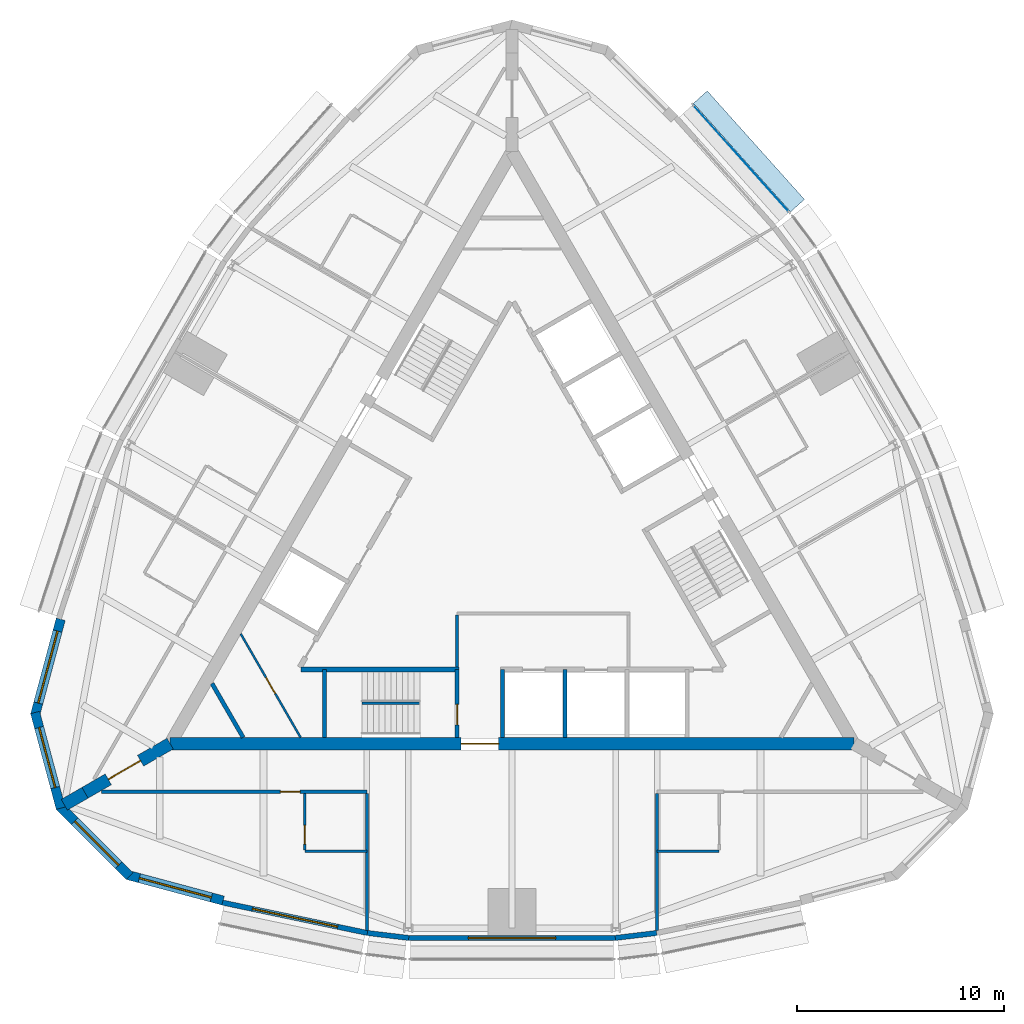
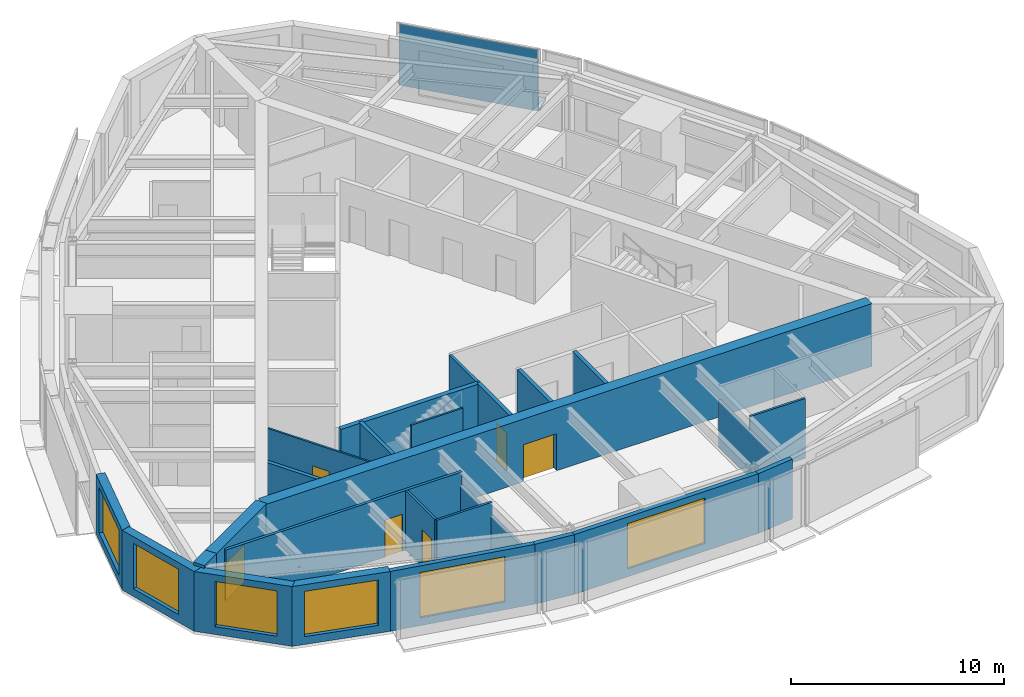
# One storey, part 7 of 12: 26 walls, 6 doors, 6 windows, 2 plates, 12 openings, 1 element without a shape of its own.
"""IFC4 building model written with IfcOpenShell, lengths in metres."""

from ifc_helpers import new_model, si_unit, direction, frame, frame_2d, origin, origin_2d, place, context, subcontext, project, spatial, polyline, rectangle, outline, extrude, material, layer, layer_set, type_object, element, fill, aggregate, save


model = new_model("IFC4")

# Units and contexts
model_context = context("Model", 3, precision=1e-05, world=origin(), true_north=direction((0.0, 1.0)))
body_context = subcontext(model_context, "Body", "Model", "MODEL_VIEW")
ifc_project = project(units=[si_unit("LENGTHUNIT", "METRE"), si_unit("AREAUNIT", "SQUARE_METRE"), si_unit("VOLUMEUNIT", "CUBIC_METRE"), si_unit("PLANEANGLEUNIT", "RADIAN"), si_unit("MASSUNIT", "GRAM", prefix="KILO")], contexts=[model_context])

# Site, building, storey
site_placement = place(None, origin())
site = spatial("IfcSite", under=ifc_project, at=site_placement, CompositionType="ELEMENT")
building_placement = place(site_placement, origin())
building = spatial("IfcBuilding", under=site, at=building_placement, Name="Trikona Tower", CompositionType="ELEMENT")
storey_placement = place(building_placement, frame((0.0, 0.0, 253.699951171875)))
storey = spatial("IfcBuildingStorey", under=building, at=storey_placement, Name="L67", CompositionType="ELEMENT", Elevation=253.699951171875)

# Curtain wall, plate
ifc_material_1 = material(Name="Aluminium curtain wall system", Category="aluminium")
curtain_wall_type = type_object("IfcCurtainWallType", Name="Curtain wall DS3", PredefinedType="NOTDEFINED", material=ifc_material_1)
curtain_wall_placement = place(storey_placement, origin())
curtain_wall = element("IfcCurtainWall", 1, at=curtain_wall_placement, inside=storey, type_object=curtain_wall_type, Name="Curtain wall DS3 L67", PredefinedType="NOTDEFINED")
ifc_material_2 = material(Name="Laminated clear glass", Category="glass")
ifc_layer_1 = layer(ifc_material_2, 0.028076171875)
ifc_layer_set_1 = layer_set([ifc_layer_1], Name="Glass panel DS3")
plate_type_1 = type_object("IfcPlateType", Name="Glass panel DS3", PredefinedType="CURTAIN_PANEL", material=ifc_layer_set_1)
plate_1_placement = place(storey_placement, frame((11.056884765625, 18.7216796875, 0.0), z_axis=(0.0, 0.0, 1.0), x_axis=(-0.667319643748, 0.744771436797, 0.0)))
plate_1 = element("IfcPlate", 2, at=plate_1_placement, type_object=plate_type_1, Name="CW-DS3 panel 1.1", PredefinedType="CURTAIN_PANEL", context=body_context, shape_type="SweptSolid", body=[
    extrude(rectangle(XDim=6.892822265625, YDim=0.028076171875, at=origin_2d()), origin(), (0.0, 0.0, 1.0), 3.530029296875),
])
aggregate(curtain_wall, [plate_1])

# Plate
ifc_material_3 = material(Name="Aluminium plate fin, pale anodised, on stainless steel outriggers", Category="steel")
ifc_layer_2 = layer(ifc_material_3, 0.14990234375)
ifc_layer_set_2 = layer_set([ifc_layer_2], Name="Outer skin fin 900")
plate_type_2 = type_object("IfcPlateType", Name="Outer skin fin 900", PredefinedType="USERDEFINED", material=ifc_layer_set_2)
plate_2_placement = place(storey_placement, frame((11.436767578125, 19.06201171875, 0.0), z_axis=(0.0, 0.0, 1.0), x_axis=(-0.667311465398, 0.744778764566, 0.0)))
element("IfcPlate", 3, at=plate_2_placement, inside=storey, type_object=plate_type_2, Name="Outer skin fin L67-13", ObjectType="FIN", PredefinedType="USERDEFINED", context=body_context, shape_type="SweptSolid", body=[
    extrude(rectangle(XDim=7.03271484375, YDim=0.89990234375, at=origin_2d()), origin(), (0.0, 0.0, 1.0), 0.14990234375),
])

# Wall
ifc_material_4 = material(Name="Metal stud and cement board", Category="gypsum")
ifc_layer_3 = layer(ifc_material_4, 0.1201171875)
ifc_layer_set_3 = layer_set([ifc_layer_3], Name="Bathroom wall 120")
wall_type_1 = type_object("IfcWallType", Name="Bathroom wall 120", PredefinedType="PLUMBINGWALL", material=ifc_layer_set_3)
wall_1_placement = place(storey_placement, frame((-10.0, -14.726318359375, 0.0), z_axis=(0.0, 0.0, 1.0), x_axis=(1.0, 0.0, 0.0)))
element("IfcWall", 4, at=wall_1_placement, inside=storey, type_object=wall_type_1, Name="Bathroom wall 6701", PredefinedType="PLUMBINGWALL", context=body_context, shape_type="SweptSolid", body=[
    extrude(rectangle(XDim=3.0, YDim=0.1201171875, at=frame_2d((1.5, 0.0))), origin(), (0.0, 0.0, 1.0), 3.43505859375),
])

# Wall, opening, door
wall_2_placement = place(storey_placement, frame((-10.0, -11.92626953125, 0.0), z_axis=(0.0, 0.0, 1.0), x_axis=(0.0, -1.0, 0.0)))
wall_2 = element("IfcWall", 5, at=wall_2_placement, inside=storey, type_object=wall_type_1, Name="Bathroom wall 6701", PredefinedType="PLUMBINGWALL", context=body_context, shape_type="SweptSolid", body=[
    extrude(rectangle(XDim=2.739990234375, YDim=0.1201171875, at=frame_2d((1.3701171875, 0.0))), origin(), (0.0, 0.0, 1.0), 3.43505859375),
])
opening_1_placement = place(wall_2_placement, frame((1.550048828125, 0.0, 0.0)))
opening_1 = element("IfcOpeningElement", 6, at=opening_1_placement, cuts=wall_2, Name="Opening D2", PredefinedType="OPENING", context=body_context, shape_type="SweptSolid", body=[
    extrude(rectangle(XDim=0.89990234375, YDim=2.1298828125, at=frame_2d((0.449951171875, 1.06494140625))), frame((0.0, 0.070068359375, 0.0), z_axis=(0.0, -1.0, 0.0), x_axis=(1.0, 0.0, 0.0)), (0.0, 0.0, 1.0), 0.14013671875),
])
ifc_material_5 = material(Name="Steel door frame with solid-core timber leaf", Category="steel")
door_type_1 = type_object("IfcDoorType", Name="Bathroom door 900x2130", OperationType="SLIDING_TO_LEFT", PredefinedType="DOOR", material=ifc_material_5)
door_1_placement = place(opening_1_placement, origin())
door_1 = element("IfcDoor", 7, at=door_1_placement, inside=storey, type_object=door_type_1, Name="Bathroom door 6701", OperationType="SLIDING_TO_LEFT", OverallHeight=2.1298828125, OverallWidth=0.89990234375, PredefinedType="DOOR", context=body_context, shape_type="SweptSolid", body=[
    extrude(rectangle(XDim=0.89990234375, YDim=2.1298828125, at=frame_2d((0.449951171875, 1.06494140625))), frame((0.0, 0.02490234375, 0.0), z_axis=(0.0, -1.0, 0.0), x_axis=(1.0, 0.0, 0.0)), (0.0, 0.0, 1.0), 0.050048828125),
])
fill(opening_1, door_1)

# Wall
wall_3_placement = place(storey_placement, frame((7.0, -14.726318359375, 0.0), z_axis=(0.0, 0.0, 1.0), x_axis=(1.0, 0.0, 0.0)))
element("IfcWall", 8, at=wall_3_placement, inside=storey, type_object=wall_type_1, Name="Bathroom wall 6702", PredefinedType="PLUMBINGWALL", context=body_context, shape_type="SweptSolid", body=[
    extrude(rectangle(XDim=3.0, YDim=0.1201171875, at=frame_2d((1.5, 0.0))), origin(), (0.0, 0.0, 1.0), 3.43505859375),
])

# Wall, opening, window
ifc_material_6 = material(Name="Brick-faced precast concrete", Category="masonry")
ifc_layer_4 = layer(ifc_material_6, 0.449951171875)
ifc_layer_set_4 = layer_set([ifc_layer_4], Name="Brick-faced corner wall 450")
wall_type_2 = type_object("IfcWallType", Name="Brick-faced corner wall 450", PredefinedType="SOLIDWALL", material=ifc_layer_set_4)
wall_4_placement = place(storey_placement, frame((-21.78271484375, -3.522216796875, 0.0), z_axis=(0.0, 0.0, 1.0), x_axis=(-0.25880328844, -0.965930048136, 0.0)))
wall_4 = element("IfcWall", 9, at=wall_4_placement, inside=storey, type_object=wall_type_2, Name="External wall L67-23", PredefinedType="SOLIDWALL", context=body_context, shape_type="SweptSolid", body=[
    extrude(rectangle(XDim=4.78173828125, YDim=0.449951171875, at=frame_2d((2.390869140625, 0.0))), origin(), (0.0, 0.0, 1.0), 3.43505859375),
])
opening_2_placement = place(wall_4_placement, frame((0.5908203125, 0.0, 0.449951171875)))
opening_2 = element("IfcOpeningElement", 10, at=opening_2_placement, cuts=wall_4, Name="Opening W3626", PredefinedType="OPENING", context=body_context, shape_type="SweptSolid", body=[
    extrude(rectangle(XDim=3.60009765625, YDim=2.60009765625, at=frame_2d((1.800048828125, 1.300048828125))), frame((0.0, 0.23486328125, 0.0), z_axis=(0.0, -1.0, 0.0), x_axis=(1.0, 0.0, 0.0)), (0.0, 0.0, 1.0), 0.469970703125),
])
ifc_material_7 = material(Name="Aluminium-framed double glazing", Category="aluminium")
window_type_1 = type_object("IfcWindowType", Name="Window 3600x2600", PartitioningType="SINGLE_PANEL", PredefinedType="WINDOW", material=ifc_material_7)
window_1_placement = place(opening_2_placement, origin())
window_1 = element("IfcWindow", 11, at=window_1_placement, inside=storey, type_object=window_type_1, Name="Window 6707", OverallHeight=2.60009765625, OverallWidth=3.60009765625, PartitioningType="SINGLE_PANEL", PredefinedType="WINDOW", context=body_context, shape_type="SweptSolid", body=[
    extrude(rectangle(XDim=3.60009765625, YDim=2.60009765625, at=frame_2d((1.800048828125, 1.300048828125))), frame((0.0, 0.030029296875, 0.0), z_axis=(0.0, -1.0, 0.0), x_axis=(1.0, 0.0, 0.0)), (0.0, 0.0, 1.0), 0.06005859375),
])
fill(opening_2, window_1)

wall_5_placement = place(storey_placement, frame((-23.020263671875, -8.024658203125, 0.0), z_axis=(0.0, 0.0, 1.0), x_axis=(0.25880328844, -0.965930048136, 0.0)))
wall_5 = element("IfcWall", 12, at=wall_5_placement, inside=storey, type_object=wall_type_2, Name="External wall L67-24", PredefinedType="SOLIDWALL", context=body_context, shape_type="SweptSolid", body=[
    extrude(outline(polyline([(4.78173828125, 0.22509765625), (4.72216796875, 0.22509765625), (4.37548828125, 0.132080078125), (4.3505859375, 0.22509765625), (0.0, 0.22509765625), (0.0, -0.22509765625), (4.78173828125, -0.22509765625), (4.78173828125, 0.22509765625)])), origin(), (0.0, 0.0, 1.0), 3.43505859375),
])
opening_3_placement = place(wall_5_placement, frame((0.750244140625, 0.0, 0.449951171875)))
opening_3 = element("IfcOpeningElement", 13, at=opening_3_placement, cuts=wall_5, Name="Opening W3026", PredefinedType="OPENING", context=body_context, shape_type="SweptSolid", body=[
    extrude(rectangle(XDim=3.0, YDim=2.60009765625, at=frame_2d((1.5, 1.300048828125))), frame((0.0, 0.23486328125, 0.0), z_axis=(0.0, -1.0, 0.0), x_axis=(1.0, 0.0, 0.0)), (0.0, 0.0, 1.0), 0.469970703125),
])
ifc_material_8 = material(Name="Aluminium-framed double glazing", Category="aluminium")
window_type_2 = type_object("IfcWindowType", Name="Window 3000x2600", PartitioningType="SINGLE_PANEL", PredefinedType="WINDOW", material=ifc_material_8)
window_2_placement = place(opening_3_placement, origin())
window_2 = element("IfcWindow", 14, at=window_2_placement, inside=storey, type_object=window_type_2, Name="Window 6707", OverallHeight=2.60009765625, OverallWidth=3.0, PartitioningType="SINGLE_PANEL", PredefinedType="WINDOW", context=body_context, shape_type="SweptSolid", body=[
    extrude(rectangle(XDim=3.0, YDim=2.60009765625, at=frame_2d((1.5, 1.300048828125))), frame((0.0, 0.030029296875, 0.0), z_axis=(0.0, -1.0, 0.0), x_axis=(1.0, 0.0, 0.0)), (0.0, 0.0, 1.0), 0.06005859375),
])
fill(opening_3, window_2)

wall_6_placement = place(storey_placement, frame((-21.8408203125, -12.54248046875, 0.0), z_axis=(0.0, 0.0, 1.0), x_axis=(0.707081252484, -0.707132308968, 0.0)))
wall_6 = element("IfcWall", 15, at=wall_6_placement, inside=storey, type_object=wall_type_2, Name="External wall L67-25", PredefinedType="SOLIDWALL", context=body_context, shape_type="SweptSolid", body=[
    extrude(outline(polyline([(4.78173828125, 0.22509765625), (0.43115234375, 0.22509765625), (0.40625, 0.1318359375), (0.058837890625, 0.22509765625), (0.0, 0.22509765625), (0.0, -0.22509765625), (4.78173828125, -0.22509765625), (4.78173828125, 0.22509765625)])), origin(), (0.0, 0.0, 1.0), 3.43505859375),
])
opening_4_placement = place(wall_6_placement, frame((1.031494140625, 0.0, 0.449951171875)))
opening_4 = element("IfcOpeningElement", 16, at=opening_4_placement, cuts=wall_6, Name="Opening W3026", PredefinedType="OPENING", context=body_context, shape_type="SweptSolid", body=[
    extrude(rectangle(XDim=3.0, YDim=2.60009765625, at=frame_2d((1.5, 1.300048828125))), frame((0.0, 0.23486328125, 0.0), z_axis=(0.0, -1.0, 0.0), x_axis=(1.0, 0.0, 0.0)), (0.0, 0.0, 1.0), 0.469970703125),
])
window_3_placement = place(opening_4_placement, origin())
window_3 = element("IfcWindow", 17, at=window_3_placement, inside=storey, type_object=window_type_2, Name="Window 6701", OverallHeight=2.60009765625, OverallWidth=3.0, PartitioningType="SINGLE_PANEL", PredefinedType="WINDOW", context=body_context, shape_type="SweptSolid", body=[
    extrude(rectangle(XDim=3.0, YDim=2.60009765625, at=frame_2d((1.5, 1.300048828125))), frame((0.0, 0.030029296875, 0.0), z_axis=(0.0, -1.0, 0.0), x_axis=(1.0, 0.0, 0.0)), (0.0, 0.0, 1.0), 0.06005859375),
])
fill(opening_4, window_3)

wall_7_placement = place(storey_placement, frame((-18.560546875, -15.865478515625, 0.0), z_axis=(0.0, 0.0, 1.0), x_axis=(0.965913862671, -0.258863689806, 0.0)))
wall_7 = element("IfcWall", 18, at=wall_7_placement, inside=storey, type_object=wall_type_2, Name="External wall L67-26", PredefinedType="SOLIDWALL", context=body_context, shape_type="SweptSolid", body=[
    extrude(rectangle(XDim=4.78173828125, YDim=0.449951171875, at=frame_2d((2.390869140625, 0.0))), origin(), (0.0, 0.0, 1.0), 3.43505859375),
])
opening_5_placement = place(wall_7_placement, frame((0.5908203125, 0.0, 0.449951171875)))
opening_5 = element("IfcOpeningElement", 19, at=opening_5_placement, cuts=wall_7, Name="Opening W3626", PredefinedType="OPENING", context=body_context, shape_type="SweptSolid", body=[
    extrude(rectangle(XDim=3.60009765625, YDim=2.60009765625, at=frame_2d((1.800048828125, 1.300048828125))), frame((0.0, 0.23486328125, 0.0), z_axis=(0.0, -1.0, 0.0), x_axis=(1.0, 0.0, 0.0)), (0.0, 0.0, 1.0), 0.469970703125),
])
window_4_placement = place(opening_5_placement, origin())
window_4 = element("IfcWindow", 20, at=window_4_placement, inside=storey, type_object=window_type_1, Name="Window 6701", OverallHeight=2.60009765625, OverallWidth=3.60009765625, PartitioningType="SINGLE_PANEL", PredefinedType="WINDOW", context=body_context, shape_type="SweptSolid", body=[
    extrude(rectangle(XDim=3.60009765625, YDim=2.60009765625, at=frame_2d((1.800048828125, 1.300048828125))), frame((0.0, 0.030029296875, 0.0), z_axis=(0.0, -1.0, 0.0), x_axis=(1.0, 0.0, 0.0)), (0.0, 0.0, 1.0), 0.06005859375),
])
fill(opening_5, window_4)

# Wall, opening, door
ifc_material_9 = material(Name="Concrete f'c 10000 psi", Category="concrete")
ifc_layer_5 = layer(ifc_material_9, 0.60009765625)
ifc_layer_set_5 = layer_set([ifc_layer_5], Name="Buttress wall 600")
wall_type_3 = type_object("IfcWallType", Name="Buttress wall 600", PredefinedType="SHEAR", material=ifc_layer_set_5)
wall_8_placement = place(storey_placement, frame((-16.5, -9.5263671875, 0.0), z_axis=(0.0, 0.0, 1.0), x_axis=(-0.866031398331, -0.499989616998, 0.0)))
wall_8 = element("IfcWall", 21, at=wall_8_placement, inside=storey, type_object=wall_type_3, Name="Buttress wall 3", PredefinedType="SHEAR", context=body_context, shape_type="SweptSolid", body=[
    extrude(rectangle(XDim=4.74609375, YDim=0.60009765625, at=frame_2d((2.373046875, 0.0))), origin(), (0.0, 0.0, 1.0), 3.60009765625),
])
opening_6_placement = place(wall_8_placement, frame((1.64990234375, 0.0, 0.0)))
opening_6 = element("IfcOpeningElement", 22, at=opening_6_placement, cuts=wall_8, Name="Opening D10", PredefinedType="OPENING", context=body_context, shape_type="SweptSolid", body=[
    extrude(rectangle(XDim=1.800048828125, YDim=2.1298828125, at=frame_2d((0.89990234375, 1.06494140625))), frame((0.0, 0.31005859375, 0.0), z_axis=(0.0, -1.0, 0.0), x_axis=(1.0, 0.0, 0.0)), (0.0, 0.0, 1.0), 0.6201171875),
])
ifc_material_10 = material(Name="Hollow metal door and frame", Category="steel")
door_type_2 = type_object("IfcDoorType", Name="Cross-corridor door pair 1800x2130", OperationType="DOUBLE_DOOR_DOUBLE_SWING", PredefinedType="DOOR", material=ifc_material_10)
door_2_placement = place(opening_6_placement, origin())
door_2 = element("IfcDoor", 23, at=door_2_placement, inside=storey, type_object=door_type_2, Name="Cross-corridor door 3", OperationType="DOUBLE_DOOR_DOUBLE_SWING", OverallHeight=2.1298828125, OverallWidth=1.800048828125, PredefinedType="DOOR", context=body_context, shape_type="SweptSolid", body=[
    extrude(rectangle(XDim=1.800048828125, YDim=2.1298828125, at=frame_2d((0.89990234375, 1.06494140625))), frame((0.0, 0.02490234375, 0.0), z_axis=(0.0, -1.0, 0.0), x_axis=(1.0, 0.0, 0.0)), (0.0, 0.0, 1.0), 0.050048828125),
])
fill(opening_6, door_2)

# Wall
wall_9_placement = place(storey_placement, frame((-20.6103515625, -11.8994140625, 0.0), z_axis=(0.0, 0.0, 1.0), x_axis=(-0.866009537788, -0.500027479704, 0.0)))
element("IfcWall", 24, at=wall_9_placement, inside=storey, type_object=wall_type_3, Name="Buttress wall 3 part 2", PredefinedType="SHEAR", context=body_context, shape_type="SweptSolid", body=[
    extrude(rectangle(XDim=1.15478515625, YDim=0.60009765625, at=frame_2d((0.577392578125, 0.0))), origin(), (0.0, 0.0, 1.0), 3.60009765625),
])

# Wall, opening, door
ifc_material_11 = material(Name="Concrete f'c 10000 psi", Category="concrete")
ifc_layer_6 = layer(ifc_material_11, 0.60009765625)
ifc_layer_set_6 = layer_set([ifc_layer_6], Name="Core wall 600")
wall_type_4 = type_object("IfcWallType", Name="Core wall 600", PredefinedType="SHEAR", material=ifc_layer_set_6)
wall_10_placement = place(storey_placement, frame((-16.5, -9.5263671875, 0.0), z_axis=(0.0, 0.0, 1.0), x_axis=(1.0, 0.0, 0.0)))
wall_10 = element("IfcWall", 25, at=wall_10_placement, inside=storey, type_object=wall_type_4, Name="Core wall A", PredefinedType="SHEAR", context=body_context, shape_type="SweptSolid", body=[
    extrude(rectangle(XDim=33.0, YDim=0.60009765625, at=frame_2d((16.5, 0.0))), origin(), (0.0, 0.0, 1.0), 3.60009765625),
])
opening_7_placement = place(wall_10_placement, frame((14.050048828125, 0.0, 0.0)))
opening_7 = element("IfcOpeningElement", 26, at=opening_7_placement, cuts=wall_10, Name="Opening D6", PredefinedType="OPENING", context=body_context, shape_type="SweptSolid", body=[
    extrude(rectangle(XDim=1.800048828125, YDim=2.1298828125, at=frame_2d((0.89990234375, 1.06494140625))), frame((0.0, 0.31005859375, 0.0), z_axis=(0.0, -1.0, 0.0), x_axis=(1.0, 0.0, 0.0)), (0.0, 0.0, 1.0), 0.6201171875),
])
ifc_material_12 = material(Name="Hollow metal door and frame", Category="steel")
door_type_3 = type_object("IfcDoorType", Name="Lobby door pair 1800x2130", OperationType="DOUBLE_DOOR_SINGLE_SWING", PredefinedType="DOOR", material=ifc_material_12)
door_3_placement = place(opening_7_placement, origin())
door_3 = element("IfcDoor", 27, at=door_3_placement, inside=storey, type_object=door_type_3, Name="Fire service lift lobby door", OperationType="DOUBLE_DOOR_SINGLE_SWING", OverallHeight=2.1298828125, OverallWidth=1.800048828125, PredefinedType="DOOR", context=body_context, shape_type="SweptSolid", body=[
    extrude(rectangle(XDim=1.800048828125, YDim=2.1298828125, at=frame_2d((0.89990234375, 1.06494140625))), frame((0.0, 0.02490234375, 0.0), z_axis=(0.0, -1.0, 0.0), x_axis=(1.0, 0.0, 0.0)), (0.0, 0.0, 1.0), 0.050048828125),
])
fill(opening_7, door_3)

ifc_material_13 = material(Name="Metal stud and gypsum board, 1-hour", Category="gypsum")
ifc_layer_7 = layer(ifc_material_13, 0.14990234375)
ifc_layer_set_7 = layer_set([ifc_layer_7], Name="Corridor wall 150")
wall_type_5 = type_object("IfcWallType", Name="Corridor wall 150", PredefinedType="PARTITIONING", material=ifc_layer_set_7)
wall_11_placement = place(storey_placement, frame((-19.826904296875, -11.851318359375, 0.0), z_axis=(0.0, 0.0, 1.0), x_axis=(1.0, 0.0, 0.0)))
wall_11 = element("IfcWall", 28, at=wall_11_placement, inside=storey, type_object=wall_type_5, Name="Corridor wall L67-1A", PredefinedType="PARTITIONING", context=body_context, shape_type="SweptSolid", body=[
    extrude(rectangle(XDim=12.826904296875, YDim=0.14990234375, at=frame_2d((6.41357421875, 0.0))), origin(), (0.0, 0.0, 1.0), 3.43505859375),
])
opening_8_placement = place(wall_11_placement, frame((8.652099609375, 0.0, 0.0)))
opening_8 = element("IfcOpeningElement", 29, at=opening_8_placement, cuts=wall_11, Name="Opening D1", PredefinedType="OPENING", context=body_context, shape_type="SweptSolid", body=[
    extrude(rectangle(XDim=0.949951171875, YDim=2.1298828125, at=frame_2d((0.47509765625, 1.06494140625))), frame((0.0, 0.0849609375, 0.0), z_axis=(0.0, -1.0, 0.0), x_axis=(1.0, 0.0, 0.0)), (0.0, 0.0, 1.0), 0.169921875),
])
ifc_material_14 = material(Name="Steel door frame with solid-core timber leaf", Category="steel")
door_type_4 = type_object("IfcDoorType", Name="Guest room door 950x2130", OperationType="SINGLE_SWING_LEFT", PredefinedType="DOOR", material=ifc_material_14)
door_4_placement = place(opening_8_placement, origin())
door_4 = element("IfcDoor", 30, at=door_4_placement, inside=storey, type_object=door_type_4, Name="Room door 6701", OperationType="SINGLE_SWING_LEFT", OverallHeight=2.1298828125, OverallWidth=0.949951171875, PredefinedType="DOOR", context=body_context, shape_type="SweptSolid", body=[
    extrude(rectangle(XDim=0.949951171875, YDim=2.1298828125, at=frame_2d((0.47509765625, 1.06494140625))), frame((0.0, 0.02490234375, 0.0), z_axis=(0.0, -1.0, 0.0), x_axis=(1.0, 0.0, 0.0)), (0.0, 0.0, 1.0), 0.050048828125),
])
fill(opening_8, door_4)

# Wall
ifc_material_15 = material(Name="Concrete f'c 8000 psi", Category="concrete")
ifc_layer_8 = layer(ifc_material_15, 0.25)
ifc_layer_set_8 = layer_set([ifc_layer_8], Name="Hub wall 250")
wall_type_6 = type_object("IfcWallType", Name="Hub wall 250", PredefinedType="SOLIDWALL", material=ifc_layer_set_8)
wall_12_placement = place(storey_placement, frame((-10.182861328125, -5.951416015625, 0.0), z_axis=(0.0, 0.0, 1.0), x_axis=(1.0, 0.0, 0.0)))
element("IfcWall", 31, at=wall_12_placement, inside=storey, type_object=wall_type_6, Name="Lift lobby wall A1", PredefinedType="SOLIDWALL", context=body_context, shape_type="SweptSolid", body=[
    extrude(rectangle(XDim=7.6328125, YDim=0.25, at=frame_2d((3.81640625, 0.0))), origin(), (0.0, 0.0, 1.0), 3.43505859375),
])

# Wall, opening, window
ifc_material_16 = material(Name="Insulated precast concrete spandrel panel", Category="concrete")
ifc_layer_9 = layer(ifc_material_16, 0.25)
ifc_layer_set_9 = layer_set([ifc_layer_9], Name="Inner skin wall 250")
wall_type_7 = type_object("IfcWallType", Name="Inner skin wall 250", PredefinedType="STANDARD", material=ifc_layer_set_9)
wall_13_placement = place(storey_placement, frame((-13.974365234375, -17.1982421875, 0.0), z_axis=(0.0, 0.0, 1.0), x_axis=(0.978654320409, -0.205513311355, 0.0)))
wall_13 = element("IfcWall", 32, at=wall_13_placement, inside=storey, type_object=wall_type_7, Name="External wall L67-00", PredefinedType="STANDARD", context=body_context, shape_type="SweptSolid", body=[
    extrude(rectangle(XDim=7.152587890625, YDim=0.25, at=frame_2d((3.576171875, 0.0))), origin(), (0.0, 0.0, 1.0), 3.43505859375),
])
opening_9_placement = place(wall_13_placement, frame((1.476318359375, 0.0, 0.449951171875)))
opening_9 = element("IfcOpeningElement", 33, at=opening_9_placement, cuts=wall_13, Name="Opening W4226", PredefinedType="OPENING", context=body_context, shape_type="SweptSolid", body=[
    extrude(rectangle(XDim=4.199951171875, YDim=2.60009765625, at=frame_2d((2.10009765625, 1.300048828125))), frame((0.0, 0.135009765625, 0.0), z_axis=(0.0, -1.0, 0.0), x_axis=(1.0, 0.0, 0.0)), (0.0, 0.0, 1.0), 0.27001953125),
])
ifc_material_17 = material(Name="Aluminium-framed double glazing", Category="aluminium")
window_type_3 = type_object("IfcWindowType", Name="Window 4200x2600", PartitioningType="SINGLE_PANEL", PredefinedType="WINDOW", material=ifc_material_17)
window_5_placement = place(opening_9_placement, origin())
window_5 = element("IfcWindow", 34, at=window_5_placement, inside=storey, type_object=window_type_3, Name="Window 6701", OverallHeight=2.60009765625, OverallWidth=4.199951171875, PartitioningType="SINGLE_PANEL", PredefinedType="WINDOW", context=body_context, shape_type="SweptSolid", body=[
    extrude(rectangle(XDim=4.199951171875, YDim=2.60009765625, at=frame_2d((2.10009765625, 1.300048828125))), frame((0.0, 0.030029296875, 0.0), z_axis=(0.0, -1.0, 0.0), x_axis=(1.0, 0.0, 0.0)), (0.0, 0.0, 1.0), 0.06005859375),
])
fill(opening_9, window_5)

# Wall
wall_14_placement = place(storey_placement, frame((-6.985107421875, -18.66650390625, 0.0), z_axis=(0.0, 0.0, 1.0), x_axis=(0.992877411981, -0.119140441403, 0.0)))
element("IfcWall", 35, at=wall_14_placement, inside=storey, type_object=wall_type_7, Name="External wall L67-01", PredefinedType="STANDARD", context=body_context, shape_type="SweptSolid", body=[
    extrude(rectangle(XDim=2.014404296875, YDim=0.25, at=frame_2d((1.00732421875, 0.0))), origin(), (0.0, 0.0, 1.0), 3.43505859375),
])

# Wall, opening, window
wall_15_placement = place(storey_placement, frame((-5.0, -18.905517578125, 0.0), z_axis=(0.0, 0.0, 1.0), x_axis=(1.0, 0.0, 0.0)))
wall_15 = element("IfcWall", 36, at=wall_15_placement, inside=storey, type_object=wall_type_7, Name="External wall L67-02", PredefinedType="STANDARD", context=body_context, shape_type="SweptSolid", body=[
    extrude(rectangle(XDim=10.0, YDim=0.25, at=frame_2d((5.0, 0.0))), origin(), (0.0, 0.0, 1.0), 3.43505859375),
])
opening_10_placement = place(wall_15_placement, frame((2.89990234375, 0.0, 0.449951171875)))
opening_10 = element("IfcOpeningElement", 37, at=opening_10_placement, cuts=wall_15, Name="Opening W4226", PredefinedType="OPENING", context=body_context, shape_type="SweptSolid", body=[
    extrude(rectangle(XDim=4.199951171875, YDim=2.60009765625, at=frame_2d((2.10009765625, 1.300048828125))), frame((0.0, 0.135009765625, 0.0), z_axis=(0.0, -1.0, 0.0), x_axis=(1.0, 0.0, 0.0)), (0.0, 0.0, 1.0), 0.27001953125),
])
window_6_placement = place(opening_10_placement, origin())
window_6 = element("IfcWindow", 38, at=window_6_placement, inside=storey, type_object=window_type_3, Name="Window L67-LNG", OverallHeight=2.60009765625, OverallWidth=4.199951171875, PartitioningType="SINGLE_PANEL", PredefinedType="WINDOW", context=body_context, shape_type="SweptSolid", body=[
    extrude(rectangle(XDim=4.199951171875, YDim=2.60009765625, at=frame_2d((2.10009765625, 1.300048828125))), frame((0.0, 0.030029296875, 0.0), z_axis=(0.0, -1.0, 0.0), x_axis=(1.0, 0.0, 0.0)), (0.0, 0.0, 1.0), 0.06005859375),
])
fill(opening_10, window_6)

# Walls
wall_16_placement = place(storey_placement, frame((4.985107421875, -18.906494140625, 0.0), z_axis=(0.0, 0.0, 1.0), x_axis=(0.992877411981, 0.119140441403, 0.0)))
element("IfcWall", 39, at=wall_16_placement, inside=storey, type_object=wall_type_7, Name="External wall L67-03", PredefinedType="STANDARD", context=body_context, shape_type="SweptSolid", body=[
    extrude(rectangle(XDim=2.014404296875, YDim=0.25, at=frame_2d((1.00732421875, 0.0))), origin(), (0.0, 0.0, 1.0), 3.43505859375),
])
ifc_material_18 = material(Name="Metal stud and gypsum board, 2-hour shaft wall", Category="gypsum")
ifc_layer_10 = layer(ifc_material_18, 0.14990234375)
ifc_layer_set_10 = layer_set([ifc_layer_10], Name="Lobby wall 150")
wall_type_8 = type_object("IfcWallType", Name="Lobby wall 150", PredefinedType="PARTITIONING", material=ifc_layer_set_10)
wall_17_placement = place(storey_placement, frame((-2.64990234375, -5.826416015625, 0.0), z_axis=(0.0, 0.0, 1.0), x_axis=(0.0, 1.0, 0.0)))
element("IfcWall", 40, at=wall_17_placement, inside=storey, type_object=wall_type_8, Name="Fire service lift lobby wall 2", PredefinedType="PARTITIONING", context=body_context, shape_type="SweptSolid", body=[
    extrude(rectangle(XDim=2.5, YDim=0.14990234375, at=frame_2d((1.25, 0.0))), origin(), (0.0, 0.0, 1.0), 3.43505859375),
])
ifc_material_19 = material(Name="Metal stud and gypsum board, 1-hour acoustic", Category="gypsum")
ifc_layer_11 = layer(ifc_material_19, 0.14990234375)
ifc_layer_set_11 = layer_set([ifc_layer_11], Name="Party wall 150")
wall_type_9 = type_object("IfcWallType", Name="Party wall 150", PredefinedType="PARTITIONING", material=ifc_layer_set_11)
for number, where, z_axis, x_axis, name in (
    (41, (-7.0, -11.92626953125, 0.0), (0.0, 0.0, 1.0), (0.0, -1.0, 0.0), "Partition L67 F1 u-7"),
    (42, (7.0, -11.92626953125, 0.0), (0.0, 0.0, 1.0), (0.0, -1.0, 0.0), "Partition L67 F1 u7"),
):
    element("IfcWall", number, at=place(storey_placement, frame(where, z_axis=z_axis, x_axis=x_axis)), inside=storey, type_object=wall_type_9, Name=name, PredefinedType="PARTITIONING", context=body_context, shape_type="SweptSolid", body=[
        extrude(rectangle(XDim=6.608642578125, YDim=0.14990234375, at=frame_2d((3.30419921875, 0.0))), origin(), (0.0, 0.0, 1.0), 2.677978515625),
    ])
ifc_material_20 = material(Name="Concrete f'c 8000 psi", Category="concrete")
ifc_layer_12 = layer(ifc_material_20, 0.199951171875)
ifc_layer_set_12 = layer_set([ifc_layer_12], Name="Shaft wall 200")
wall_type_10 = type_object("IfcWallType", Name="Shaft wall 200", PredefinedType="SOLIDWALL", material=ifc_layer_set_12)
for number, where, z_axis, x_axis, name in (
    (43, (-0.449951171875, -5.951416015625, 0.0), (0.0, 0.0, 1.0), (0.0, -1.0, 0.0), "Shaft wall A3"),
    (44, (2.550048828125, -5.951416015625, 0.0), (0.0, 0.0, 1.0), (0.0, -1.0, 0.0), "Shaft wall A4"),
):
    element("IfcWall", number, at=place(storey_placement, frame(where, z_axis=z_axis, x_axis=x_axis)), inside=storey, type_object=wall_type_10, Name=name, PredefinedType="SOLIDWALL", context=body_context, shape_type="SweptSolid", body=[
        extrude(rectangle(XDim=3.27490234375, YDim=0.199951171875, at=frame_2d((1.637451171875, 0.0))), origin(), (0.0, 0.0, 1.0), 3.43505859375),
    ])
wall_18_placement = place(storey_placement, frame((-12.978271484375, -9.226318359375, 0.0), z_axis=(0.0, 0.0, 1.0), x_axis=(-0.499952404951, 0.866052881055, 0.0)))
element("IfcWall", 45, at=wall_18_placement, inside=storey, type_object=wall_type_10, Name="Riser wall L67-RS3", PredefinedType="SOLIDWALL", context=body_context, shape_type="SweptSolid", body=[
    extrude(rectangle(XDim=3.002197265625, YDim=0.199951171875, at=frame_2d((1.5009765625, 0.0))), origin(), (0.0, 0.0, 1.0), 3.43505859375),
])
ifc_material_21 = material(Name="Concrete f'c 8000 psi", Category="concrete")
ifc_layer_13 = layer(ifc_material_21, 0.199951171875)
ifc_layer_set_13 = layer_set([ifc_layer_13], Name="Shaft wall 200 load-bearing")
wall_type_11 = type_object("IfcWallType", Name="Shaft wall 200 load-bearing", PredefinedType="SOLIDWALL", material=ifc_layer_set_13)
wall_19_placement = place(storey_placement, frame((-9.050048828125, -5.951416015625, 0.0), z_axis=(0.0, 0.0, 1.0), x_axis=(0.0, -1.0, 0.0)))
element("IfcWall", 46, at=wall_19_placement, inside=storey, type_object=wall_type_11, Name="Shaft wall A1", PredefinedType="SOLIDWALL", context=body_context, shape_type="SweptSolid", body=[
    extrude(rectangle(XDim=3.27490234375, YDim=0.199951171875, at=frame_2d((1.637451171875, 0.0))), origin(), (0.0, 0.0, 1.0), 3.43505859375),
])

# Wall, opening, door
wall_20_placement = place(storey_placement, frame((-2.64990234375, -5.951416015625, 0.0), z_axis=(0.0, 0.0, 1.0), x_axis=(0.0, -1.0, 0.0)))
wall_20 = element("IfcWall", 47, at=wall_20_placement, inside=storey, type_object=wall_type_11, Name="Shaft wall A2", PredefinedType="SOLIDWALL", context=body_context, shape_type="SweptSolid", body=[
    extrude(rectangle(XDim=3.27490234375, YDim=0.199951171875, at=frame_2d((1.637451171875, 0.0))), origin(), (0.0, 0.0, 1.0), 3.43505859375),
])
opening_11_placement = place(wall_20_placement, frame((1.675048828125, 0.0, 0.0)))
opening_11 = element("IfcOpeningElement", 48, at=opening_11_placement, cuts=wall_20, Name="Opening D5", PredefinedType="OPENING", context=body_context, shape_type="SweptSolid", body=[
    extrude(rectangle(XDim=1.0, YDim=2.1298828125, at=frame_2d((0.5, 1.06494140625))), frame((0.0, 0.10986328125, 0.0), z_axis=(0.0, -1.0, 0.0), x_axis=(1.0, 0.0, 0.0)), (0.0, 0.0, 1.0), 0.219970703125),
])
ifc_material_22 = material(Name="Hollow metal door and frame", Category="steel")
door_type_5 = type_object("IfcDoorType", Name="Stair door 1000x2130", OperationType="SINGLE_SWING_LEFT", PredefinedType="DOOR", material=ifc_material_22)
door_5_placement = place(opening_11_placement, origin())
door_5 = element("IfcDoor", 49, at=door_5_placement, inside=storey, type_object=door_type_5, Name="Stair A door", OperationType="SINGLE_SWING_RIGHT", OverallHeight=2.1298828125, OverallWidth=1.0, PredefinedType="DOOR", context=body_context, shape_type="SweptSolid", body=[
    extrude(rectangle(XDim=1.0, YDim=2.1298828125, at=frame_2d((0.5, 1.06494140625))), frame((0.0, 0.02490234375, 0.0), z_axis=(0.0, -1.0, 0.0), x_axis=(1.0, 0.0, 0.0)), (0.0, 0.0, 1.0), 0.050048828125),
])
fill(opening_11, door_5)

# Wall
ifc_material_23 = material(Name="Concrete f'c 5000 psi", Category="concrete")
ifc_layer_14 = layer(ifc_material_23, 0.10009765625)
ifc_layer_set_14 = layer_set([ifc_layer_14], Name="Stair spine wall 100")
wall_type_12 = type_object("IfcWallType", Name="Stair spine wall 100", PredefinedType="SOLIDWALL", material=ifc_layer_set_14)
wall_21_placement = place(storey_placement, frame((-7.2470703125, -7.576416015625, 0.0), z_axis=(0.0, 0.0, 1.0), x_axis=(1.0, 0.0, 0.0)))
element("IfcWall", 50, at=wall_21_placement, inside=storey, type_object=wall_type_12, Name="Stair A spine wall L67", PredefinedType="SOLIDWALL", context=body_context, shape_type="SweptSolid", body=[
    extrude(rectangle(XDim=2.794189453125, YDim=0.10009765625, at=frame_2d((1.39697265625, 0.0))), origin(), (0.0, 0.0, 1.0), 3.60009765625),
])

# Wall, opening, door
ifc_material_24 = material(Name="Metal stud and gypsum board, acoustic", Category="gypsum")
ifc_layer_15 = layer(ifc_material_24, 0.10009765625)
ifc_layer_set_15 = layer_set([ifc_layer_15], Name="Suite partition 100")
wall_type_13 = type_object("IfcWallType", Name="Suite partition 100", PredefinedType="PARTITIONING", material=ifc_layer_set_15)
wall_22_placement = place(storey_placement, frame((-10.206787109375, -9.226318359375, 0.0), z_axis=(0.0, 0.0, 1.0), x_axis=(-0.500027479704, 0.866009537788, 0.0)))
wall_22 = element("IfcWall", 51, at=wall_22_placement, inside=storey, type_object=wall_type_13, Name="Store partition L67-RS3", PredefinedType="PARTITIONING", context=body_context, shape_type="SweptSolid", body=[
    extrude(rectangle(XDim=5.773681640625, YDim=0.10009765625, at=frame_2d((2.88671875, 0.0))), origin(), (0.0, 0.0, 1.0), 3.43505859375),
])
opening_12_placement = place(wall_22_placement, frame((2.436767578125, 0.0, 0.0)))
opening_12 = element("IfcOpeningElement", 52, at=opening_12_placement, cuts=wall_22, Name="Opening D15", PredefinedType="OPENING", context=body_context, shape_type="SweptSolid", body=[
    extrude(rectangle(XDim=0.89990234375, YDim=2.1298828125, at=frame_2d((0.449951171875, 1.06494140625))), frame((0.0, 0.06005859375, 0.0), z_axis=(0.0, -1.0, 0.0), x_axis=(1.0, 0.0, 0.0)), (0.0, 0.0, 1.0), 0.1201171875),
])
ifc_material_25 = material(Name="Steel door frame with solid-core timber leaf", Category="steel")
door_type_6 = type_object("IfcDoorType", Name="Store door 900x2130", OperationType="SINGLE_SWING_LEFT", PredefinedType="DOOR", material=ifc_material_25)
door_6_placement = place(opening_12_placement, origin())
door_6 = element("IfcDoor", 53, at=door_6_placement, inside=storey, type_object=door_type_6, Name="Door Storage STO", OperationType="SINGLE_SWING_RIGHT", OverallHeight=2.1298828125, OverallWidth=0.89990234375, PredefinedType="DOOR", context=body_context, shape_type="SweptSolid", body=[
    extrude(rectangle(XDim=0.89990234375, YDim=2.1298828125, at=frame_2d((0.449951171875, 1.06494140625))), frame((0.0, 0.02490234375, 0.0), z_axis=(0.0, -1.0, 0.0), x_axis=(1.0, 0.0, 0.0)), (0.0, 0.0, 1.0), 0.050048828125),
])
fill(opening_12, door_6)

save(model, "model.ifc")
